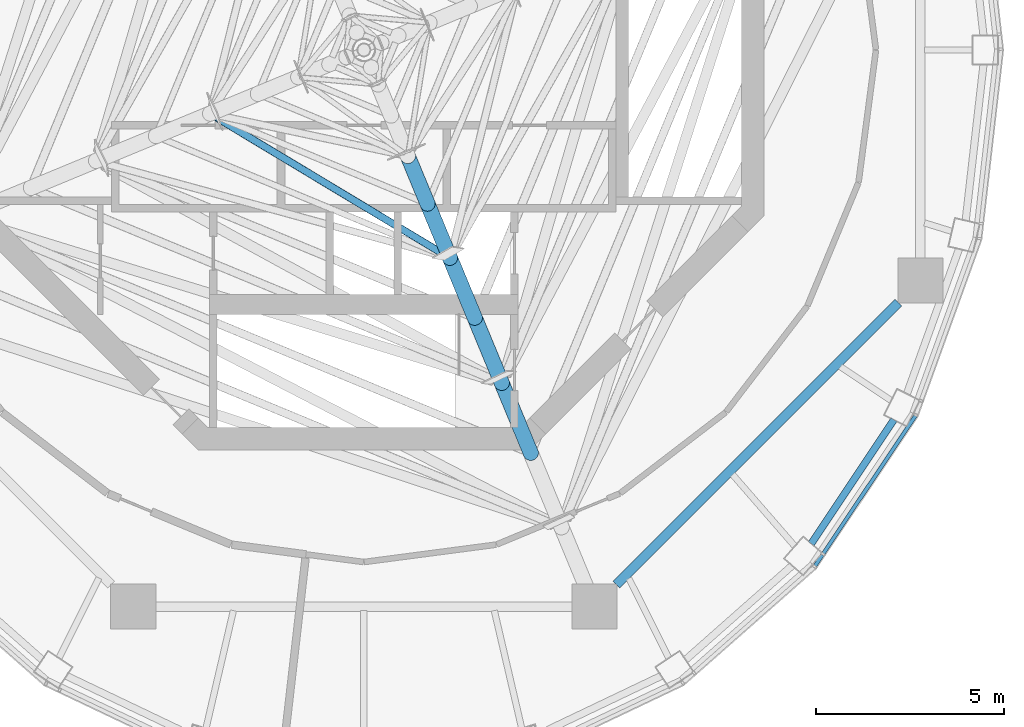
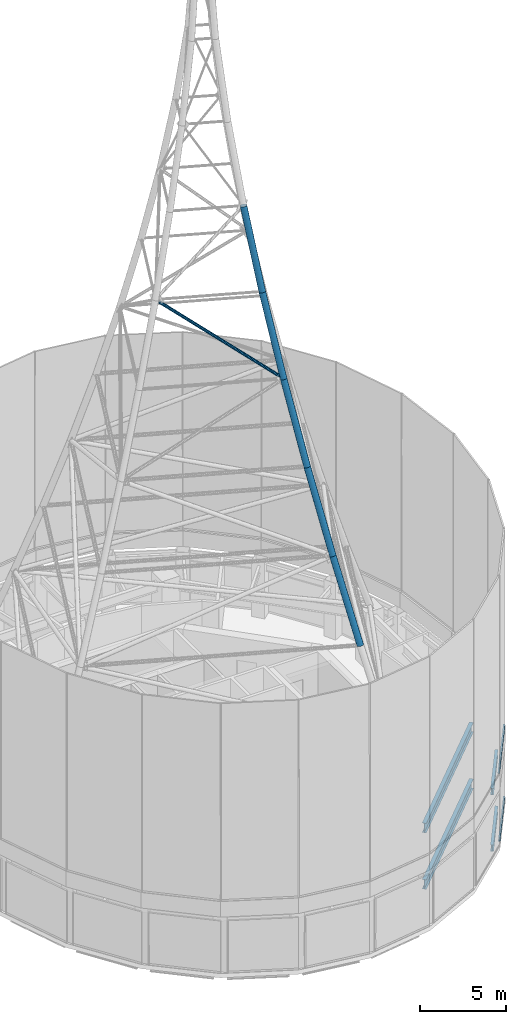
# One storey, part 6 of 25: 8 members, 4 beams, 2 elements without a shape of their own.
"""IFC4 building model written with IfcOpenShell, lengths in metres."""

from ifc_helpers import new_model, si_unit, direction, frame, origin, origin_2d, place, context, subcontext, project, spatial, rectangle, hollow_circle, i_section, extrude, material, layer, layer_set, material_profile, profile_set, type_object, element, aggregate, save


model = new_model("IFC4")

# Units and contexts
model_context = context("Model", 3, precision=1e-05, world=origin(), true_north=direction((0.0, 1.0)))
body_context = subcontext(model_context, "Body", "Model", "MODEL_VIEW")
ifc_project = project(units=[si_unit("LENGTHUNIT", "METRE"), si_unit("AREAUNIT", "SQUARE_METRE"), si_unit("VOLUMEUNIT", "CUBIC_METRE"), si_unit("PLANEANGLEUNIT", "RADIAN"), si_unit("MASSUNIT", "GRAM", prefix="KILO")], contexts=[model_context])

# Site, building, storey
site_placement = place(None, origin())
site = spatial("IfcSite", under=ifc_project, at=site_placement, CompositionType="ELEMENT")
building_placement = place(site_placement, origin())
building = spatial("IfcBuilding", under=site, at=building_placement, Name="Nagisa Residences", CompositionType="ELEMENT")
storey_placement = place(building_placement, frame((0.0, 0.0, 340.89990234375)))
storey = spatial("IfcBuildingStorey", under=building, at=storey_placement, Name="L84", CompositionType="ELEMENT", Elevation=340.89990234375)

# Curtain wall, member
ifc_material_1 = material(Name="Aluminium curtain wall system", Category="aluminium")
ifc_layer = layer(ifc_material_1, 0.159912109375)
ifc_layer_set = layer_set([ifc_layer], Name="CW5 CURTAIN WALL")
curtain_wall_type = type_object("IfcCurtainWallType", Name="CW5 CURTAIN WALL", PredefinedType="NOTDEFINED", material=ifc_layer_set)
curtain_wall_1_placement = place(storey_placement, origin())
curtain_wall_1 = element("IfcCurtainWall", 1, at=curtain_wall_1_placement, inside=storey, type_object=curtain_wall_type, Name="cw:CW5:L84:21", PredefinedType="NOTDEFINED")
ifc_material_2 = material(Name="Aluminium", Category="aluminium")
ifc_material_profile_1 = material_profile(ifc_material_2, rectangle(XDim=0.10009765625, YDim=0.1201171875, at=origin_2d()), Name="CW5 TRANSOM 100x120")
ifc_profile_set_1 = profile_set([ifc_material_profile_1], Name="Aluminium")
member_type_1 = type_object("IfcMemberType", Name="CW5 TRANSOM 100x120", PredefinedType="USERDEFINED", material=ifc_profile_set_1)
member_1_placement = place(storey_placement, frame((12.1767578125, -13.41162109375, 0.06005859375), z_axis=(0.556026221044, 0.831164749921, 0.0), x_axis=(-0.831164749921, 0.556026221044, 0.0)))
member_1 = element("IfcMember", 2, at=member_1_placement, type_object=member_type_1, Name="CW5 transom", ObjectType="TRANSOM", PredefinedType="USERDEFINED", context=body_context, shape_type="SweptSolid", body=[
    extrude(rectangle(XDim=0.10009765625, YDim=0.1201171875, at=origin_2d()), origin(), (0.0, 0.0, 1.0), 4.458984375),
])
aggregate(curtain_wall_1, [member_1])

curtain_wall_2_placement = place(storey_placement, origin())
curtain_wall_2 = element("IfcCurtainWall", 3, at=curtain_wall_2_placement, inside=storey, type_object=curtain_wall_type, Name="cw:CW5:L84:top0:21", PredefinedType="NOTDEFINED")
member_2_placement = place(storey_placement, frame((11.954345703125, -13.744140625, 5.16015625), z_axis=(0.55602135043, 0.831168008207, 0.0), x_axis=(-0.831168008207, 0.55602135043, 0.0)))
member_2 = element("IfcMember", 4, at=member_2_placement, type_object=member_type_1, Name="CW5 transom", ObjectType="TRANSOM", PredefinedType="USERDEFINED", context=body_context, shape_type="SweptSolid", body=[
    extrude(rectangle(XDim=0.10009765625, YDim=0.1201171875, at=origin_2d()), origin(), (0.0, 0.0, 1.0), 4.85888671875),
])
aggregate(curtain_wall_2, [member_2])

# Beams
ifc_material_3 = material(Name="Steel ASTM A572 Gr 50", Category="steel")
ifc_material_profile_2 = material_profile(ifc_material_3, i_section(OverallWidth=0.2529296875, OverallDepth=0.677978515625, WebThickness=0.01171875, FlangeThickness=0.016357421875, at=origin_2d()), Name="W690x125")
ifc_profile_set_2 = profile_set([ifc_material_profile_2], Name="Steel ASTM A572 Gr 50")
beam_type_1 = type_object("IfcBeamType", Name="Inner ring beam W690x125", PredefinedType="BEAM", material=ifc_profile_set_2)
for number, where, z_axis, x_axis, name in (
    (5, (6.708740234375, -14.1962890625, -0.638916015625), (0.707106781187, 0.707106781187, 0.0), (-0.707106781187, 0.707106781187, 0.0), "beam:L84:ib7"),
    (6, (6.708740234375, -14.1962890625, 3.361083984375), (0.707106781187, 0.707106781187, 0.0), (-0.707106781187, 0.707106781187, 0.0), "beam:L84:rib7"),
):
    element("IfcBeam", number, at=place(storey_placement, frame(where, z_axis=z_axis, x_axis=x_axis)), inside=storey, type_object=beam_type_1, Name=name, PredefinedType="BEAM", context=body_context, shape_type="SweptSolid", body=[
        extrude(i_section(OverallWidth=0.2529296875, OverallDepth=0.677978515625, WebThickness=0.01171875, FlangeThickness=0.016357421875, at=origin_2d()), origin(), (0.0, 0.0, 1.0), 10.589111328125),
    ])

# Members
ifc_material_4 = material(Name="Steel ASTM A572 Gr 50", Category="steel")
ifc_material_profile_3 = material_profile(ifc_material_4, hollow_circle(Radius=0.096923828125, WallThickness=0.008056640625, at=origin_2d()), Name="MAST BRACE CHS 193.7x8")
ifc_profile_set_3 = profile_set([ifc_material_profile_3], Name="Steel ASTM A572 Gr 50")
member_type_2 = type_object("IfcMemberType", Name="MAST BRACE CHS 193.7x8", PredefinedType="BRACE", material=ifc_profile_set_3)
member_3_placement = place(storey_placement, frame((2.10009765625, -5.4130859375, 31.6630859375), z_axis=(-0.68912796394, 0.414396849892, 0.594455969871), x_axis=(-0.515336820431, -0.856987725413, 0.0)))
element("IfcMember", 7, at=member_3_placement, inside=storey, type_object=member_type_2, Name="Mast brace 6.3", PredefinedType="BRACE", context=body_context, shape_type="SweptSolid", body=[
    extrude(hollow_circle(Radius=0.096923828125, WallThickness=0.008056640625, at=origin_2d()), origin(), (0.0, 0.0, 1.0), 8.703369140625),
])
ifc_material_5 = material(Name="Steel ASTM A572 Gr 50", Category="steel")
ifc_material_profile_4 = material_profile(ifc_material_5, hollow_circle(Radius=0.203125, WallThickness=0.01611328125, at=origin_2d()), Name="MAST LEG CHS 406.4x16")
ifc_profile_set_4 = profile_set([ifc_material_profile_4], Name="Steel ASTM A572 Gr 50")
member_type_3 = type_object("IfcMemberType", Name="MAST LEG CHS 406.4x16", PredefinedType="CHORD", material=ifc_profile_set_4)
member_4_placement = place(storey_placement, frame((4.43603515625, -10.70947265625, 15.0), z_axis=(-0.131517312665, 0.317517391622, 0.939087803396), x_axis=(-0.92388230723, -0.382676733532, 0.0)))
element("IfcMember", 8, at=member_4_placement, inside=storey, type_object=member_type_3, Name="Mast leg 4 segment 3", PredefinedType="CHORD", context=body_context, shape_type="SweptSolid", body=[
    extrude(hollow_circle(Radius=0.203125, WallThickness=0.01611328125, at=origin_2d()), origin(), (0.0, 0.0, 1.0), 5.856689453125),
])
member_5_placement = place(storey_placement, frame((3.665771484375, -8.849853515625, 20.5), z_axis=(-0.123407190046, 0.297908402257, 0.94658398957), x_axis=(-0.923869127569, -0.382708551152, 0.0)))
element("IfcMember", 9, at=member_5_placement, inside=storey, type_object=member_type_3, Name="Mast leg 4 segment 4", PredefinedType="CHORD", context=body_context, shape_type="SweptSolid", body=[
    extrude(hollow_circle(Radius=0.203125, WallThickness=0.01611328125, at=origin_2d()), origin(), (0.0, 0.0, 1.0), 5.810302734375),
])
member_6_placement = place(storey_placement, frame((2.94873046875, -7.118896484375, 26.0), z_axis=(-0.114409855656, 0.276261043536, 0.954248511004), x_axis=(-0.923904615423, -0.382622871245, 0.0)))
element("IfcMember", 10, at=member_6_placement, inside=storey, type_object=member_type_3, Name="Mast leg 4 segment 5", PredefinedType="CHORD", context=body_context, shape_type="SweptSolid", body=[
    extrude(hollow_circle(Radius=0.203125, WallThickness=0.01611328125, at=origin_2d()), origin(), (0.0, 0.0, 1.0), 5.763671875),
])
member_7_placement = place(storey_placement, frame((2.289306640625, -5.526611328125, 31.5), z_axis=(-0.10433452248, 0.251889076375, 0.962115481957), x_axis=(-0.923881282059, -0.382679208557, 0.0)))
element("IfcMember", 11, at=member_7_placement, inside=storey, type_object=member_type_3, Name="Mast leg 4 segment 6", PredefinedType="CHORD", context=body_context, shape_type="SweptSolid", body=[
    extrude(hollow_circle(Radius=0.203125, WallThickness=0.01611328125, at=origin_2d()), origin(), (0.0, 0.0, 1.0), 5.716552734375),
])
member_8_placement = place(storey_placement, frame((1.69287109375, -4.086669921875, 37.0), z_axis=(-0.092763851309, 0.223899379273, 0.970187577663), x_axis=(-0.923847884847, -0.382759827652, 0.0)))
element("IfcMember", 12, at=member_8_placement, inside=storey, type_object=member_type_3, Name="Mast leg 4 segment 7", PredefinedType="CHORD", context=body_context, shape_type="SweptSolid", body=[
    extrude(hollow_circle(Radius=0.203125, WallThickness=0.01611328125, at=origin_2d()), origin(), (0.0, 0.0, 1.0), 5.6689453125),
])

# Beams
ifc_material_6 = material(Name="Steel ASTM A572 Gr 50", Category="steel")
ifc_material_profile_5 = material_profile(ifc_material_6, i_section(OverallWidth=0.18994140625, OverallDepth=0.45703125, WebThickness=0.009033203125, FlangeThickness=0.014404296875, at=origin_2d()), Name="W460x74")
ifc_profile_set_5 = profile_set([ifc_material_profile_5], Name="Steel ASTM A572 Gr 50")
beam_type_2 = type_object("IfcBeamType", Name="Perimeter ring beam W460x74", PredefinedType="BEAM", material=ifc_profile_set_5)
for number, where, z_axis, x_axis, name in (
    (13, (11.8798828125, -13.115966796875, -0.5283203125), (0.554529560082, 0.832164026497, 0.0), (-0.832164026497, 0.554529560082, 0.0), "beam:L84:pb22"),
    (14, (11.8798828125, -13.115966796875, 3.4716796875), (0.554529560082, 0.832164026497, 0.0), (-0.832164026497, 0.554529560082, 0.0), "beam:L84:rpb22"),
):
    element("IfcBeam", number, at=place(storey_placement, frame(where, z_axis=z_axis, x_axis=x_axis)), inside=storey, type_object=beam_type_2, Name=name, PredefinedType="BEAM", context=body_context, shape_type="SweptSolid", body=[
        extrude(i_section(OverallWidth=0.18994140625, OverallDepth=0.45703125, WebThickness=0.009033203125, FlangeThickness=0.014404296875, at=origin_2d()), origin(), (0.0, 0.0, 1.0), 3.96240234375),
    ])

save(model, "model.ifc")
